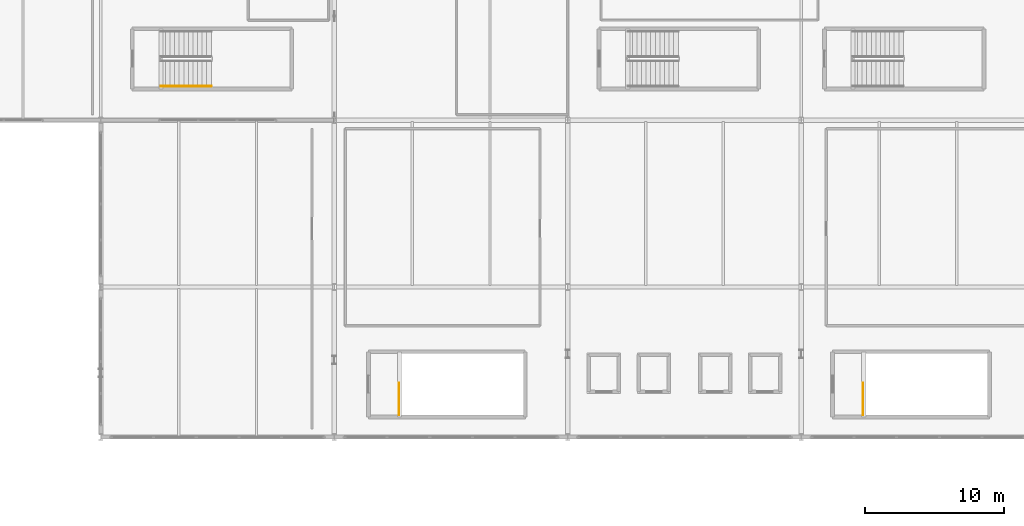
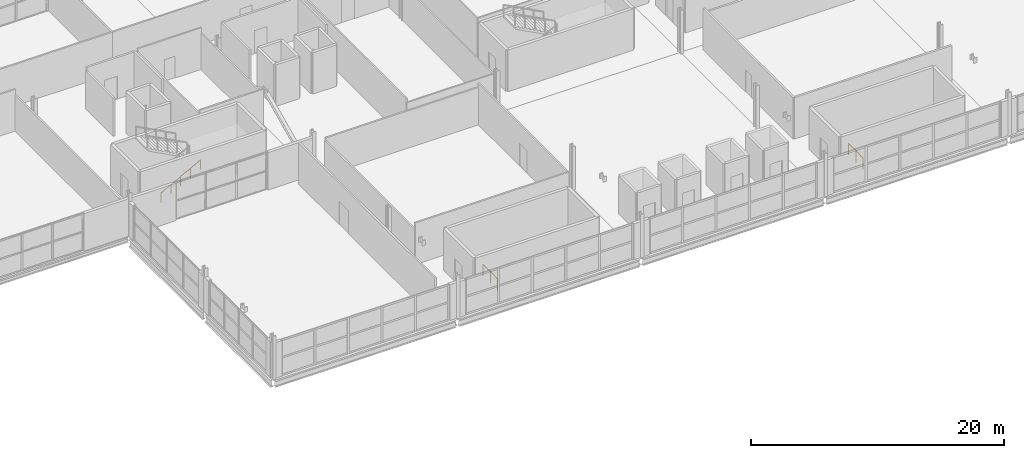
# One storey, part 35 of 39: 3 railings.
"""IFC4 building model written with IfcOpenShell, lengths in metres."""

from ifc_helpers import new_model, si_unit, direction, frame, origin, origin_2d, place, context, subcontext, project, spatial, circle, extrude, material, type_object, element, save


model = new_model("IFC4")

# Units and contexts
model_context = context("Model", 3, precision=1e-05, world=origin(), true_north=direction((0.0, 1.0)))
body_context = subcontext(model_context, "Body", "Model", "MODEL_VIEW")
ifc_project = project(units=[si_unit("LENGTHUNIT", "METRE"), si_unit("AREAUNIT", "SQUARE_METRE"), si_unit("VOLUMEUNIT", "CUBIC_METRE"), si_unit("PLANEANGLEUNIT", "RADIAN"), si_unit("MASSUNIT", "GRAM", prefix="KILO")], contexts=[model_context])

# Site, building, storey
site_placement = place(None, origin())
site = spatial("IfcSite", under=ifc_project, at=site_placement, CompositionType="ELEMENT")
building_placement = place(site_placement, origin())
building = spatial("IfcBuilding", under=site, at=building_placement, Name="Kimbaza Rail Terminus", CompositionType="ELEMENT")
storey_placement = place(building_placement, frame((0.0, 0.0, 16.800048828125)))
storey = spatial("IfcBuildingStorey", under=building, at=storey_placement, Name="L03", CompositionType="ELEMENT", Elevation=16.800048828125)

# Railings
ifc_material_1 = material(Name="Brushed stainless steel handrail", Category="steel")
railing_type_1 = type_object("IfcRailingType", Name="ARC-RL-HND92", PredefinedType="HANDRAIL", material=ifc_material_1)
railing_placement = place(storey_placement, frame((76.320068359375, 105.449951171875, 0.175048828125)))
element("IfcRailing", 1, at=railing_placement, inside=storey, type_object=railing_type_1, Name="L03 ST-W1 stair handrail 1", PredefinedType="HANDRAIL", context=body_context, shape_type="SweptSolid", body=[
    extrude(circle(Radius=0.02392578125, at=origin_2d()), frame((0.0, 0.0, 0.8759765625), z_axis=(0.883475517009, 0.0, 0.468477332264), x_axis=(0.0, 1.0, 0.0)), (0.0, 0.0, 1.0), 4.108642578125),
    extrude(circle(Radius=0.02099609375, at=origin_2d()), origin(), (0.0, 0.0, 1.0), 0.851806640625),
    extrude(circle(Radius=0.02099609375, at=origin_2d()), frame((0.907470703125, 0.0, 0.481201171875)), (0.0, 0.0, 1.0), 0.851806640625),
    extrude(circle(Radius=0.02099609375, at=origin_2d()), frame((1.81494140625, 0.0, 0.96240234375)), (0.0, 0.0, 1.0), 0.851806640625),
    extrude(circle(Radius=0.02099609375, at=origin_2d()), frame((2.722412109375, 0.0, 1.443603515625)), (0.0, 0.0, 1.0), 0.851806640625),
    extrude(circle(Radius=0.02099609375, at=origin_2d()), frame((3.6298828125, 0.0, 1.9248046875)), (0.0, 0.0, 1.0), 0.851806640625),
])
ifc_material_2 = material(Name="Painted tubular steel stair well guard", Category="steel")
railing_type_2 = type_object("IfcRailingType", Name="ARC-RL-STGRD", PredefinedType="GUARDRAIL", material=ifc_material_2)
for number, where, name in (
    (2, (93.449951171875, 81.800048828125, 0.0), "L03 ST-C3 top well guard 1"),
    (3, (126.85009765625, 81.800048828125, 0.0), "L03 ST-C4 top well guard 1"),
):
    element("IfcRailing", number, at=place(storey_placement, frame(where)), inside=storey, type_object=railing_type_2, Name=name, PredefinedType="GUARDRAIL", context=body_context, shape_type="SweptSolid", body=[
        extrude(circle(Radius=0.02392578125, at=origin_2d()), frame((0.0, 0.0, 1.09619140625), z_axis=(0.0, 1.0, 0.0), x_axis=(-1.0, 0.0, 0.0)), (0.0, 0.0, 1.0), 2.300048828125),
        extrude(circle(Radius=0.02099609375, at=origin_2d()), origin(), (0.0, 0.0, 1.0), 1.072021484375),
        extrude(circle(Radius=0.02099609375, at=origin_2d()), frame((0.0, 1.14990234375, 0.0)), (0.0, 0.0, 1.0), 1.072021484375),
        extrude(circle(Radius=0.02099609375, at=origin_2d()), frame((0.0, 2.300048828125, 0.0)), (0.0, 0.0, 1.0), 1.072021484375),
    ])

save(model, "model.ifc")
